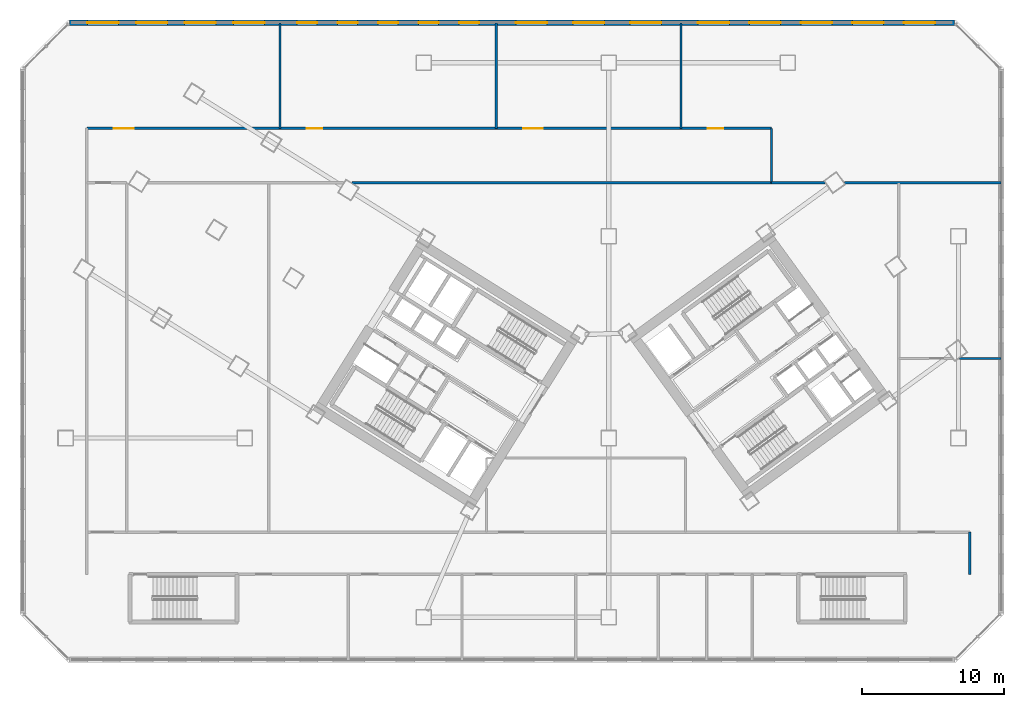
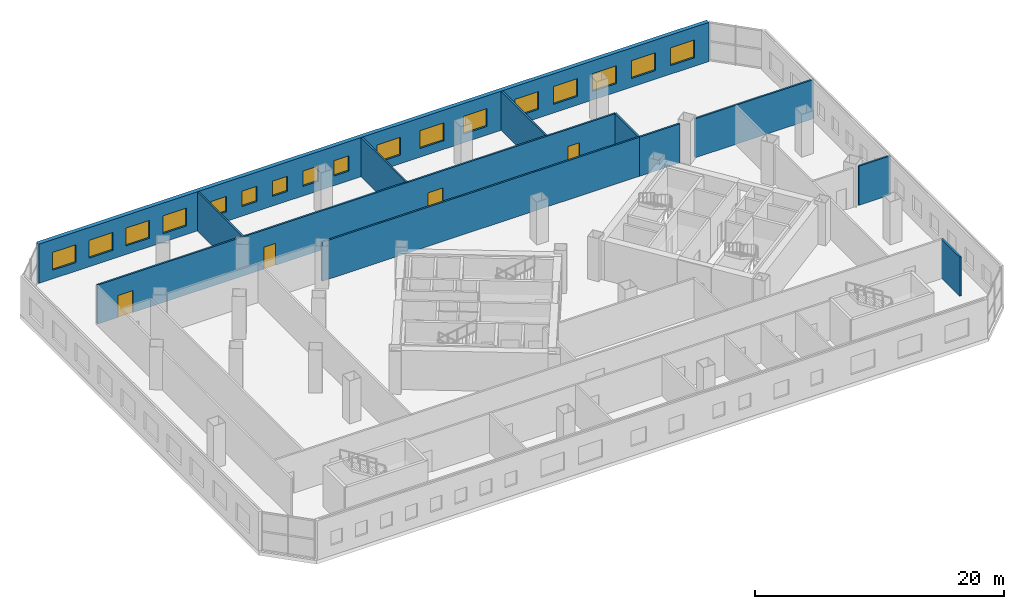
# One storey, part 14 of 22: 17 windows, 11 walls, 4 doors, 21 openings.
"""IFC4 building model written with IfcOpenShell, lengths in metres."""

from ifc_helpers import new_model, si_unit, direction, frame, frame_2d, origin, place, context, subcontext, project, spatial, rectangle, extrude, source, transform, mapped, material, layer, layer_set, type_object, element, fill, save


model = new_model("IFC4")

# Units and contexts
model_context = context("Model", 3, precision=1e-05, world=origin(), true_north=direction((0.0, 1.0)))
body_context = subcontext(model_context, "Body", "Model", "MODEL_VIEW")
ifc_project = project(units=[si_unit("LENGTHUNIT", "METRE"), si_unit("AREAUNIT", "SQUARE_METRE"), si_unit("VOLUMEUNIT", "CUBIC_METRE"), si_unit("PLANEANGLEUNIT", "RADIAN"), si_unit("MASSUNIT", "GRAM", prefix="KILO")], contexts=[model_context])

# Site, building, storey
site_placement = place(None, origin())
site = spatial("IfcSite", under=ifc_project, at=site_placement, CompositionType="ELEMENT")
building_placement = place(site_placement, origin())
building = spatial("IfcBuilding", under=site, at=building_placement, Name="Tlacorven Tower", CompositionType="ELEMENT")
storey_placement = place(building_placement, frame((0.0, 0.0, 14.39990234375)))
storey = spatial("IfcBuildingStorey", under=building, at=storey_placement, Name="L03", CompositionType="ELEMENT", Elevation=14.39990234375)

# Wall
ifc_material_1 = material(Name="Gypsum plasterboard acoustic partition", Category="gypsum")
ifc_layer_1 = layer(ifc_material_1, 0.159912109375)
ifc_layer_set_1 = layer_set([ifc_layer_1], Name="Gypsum plasterboard acoustic partition")
wall_type_1 = type_object("IfcWallType", Name="WL-DEM-160", PredefinedType="PARTITIONING", material=ifc_layer_set_1)
wall_1_placement = place(storey_placement, frame((24.749267578125, 35.14990234375, 0.0), z_axis=(0.0, 0.0, 1.0), x_axis=(1.0, 0.0, 0.0)))
element("IfcWall", 1, at=wall_1_placement, inside=storey, type_object=wall_type_1, Name="L03 partition 77", PredefinedType="PARTITIONING", context=body_context, shape_type="SweptSolid", body=[
    extrude(rectangle(XDim=29.500732421875, YDim=0.159912109375, at=frame_2d((14.75048828125, 0.0))), origin(), (0.0, 0.0, 1.0), 3.840087890625),
])

# Wall, openings, doors
wall_2_placement = place(storey_placement, frame((6.10009765625, 38.97998046875, 0.0), z_axis=(0.0, 0.0, 1.0), x_axis=(1.0, 0.0, 0.0)))
wall_2 = element("IfcWall", 2, at=wall_2_placement, inside=storey, type_object=wall_type_1, Name="L03 partition 78", PredefinedType="PARTITIONING", context=body_context, shape_type="SweptSolid", body=[
    extrude(rectangle(XDim=48.14990234375, YDim=0.159912109375, at=frame_2d((24.074951171875, 0.0))), origin(), (0.0, 0.0, 1.0), 3.840087890625),
])
opening_1_placement = place(wall_2_placement, frame((1.89990234375, 0.0, 0.0)))
opening_1 = element("IfcOpeningElement", 3, at=opening_1_placement, cuts=wall_2, Name="Opening D16", PredefinedType="OPENING", context=body_context, shape_type="SweptSolid", body=[
    extrude(rectangle(XDim=1.39990234375, YDim=2.14990234375, at=frame_2d((0.699951171875, 1.074951171875))), frame((0.0, 0.08984375, 0.0), z_axis=(0.0, -1.0, 0.0), x_axis=(1.0, 0.0, 0.0)), (0.0, 0.0, 1.0), 0.179931640625),
])
opening_2_placement = place(wall_2_placement, frame((15.47998046875, 0.0, 0.0)))
opening_2 = element("IfcOpeningElement", 4, at=opening_2_placement, cuts=wall_2, Name="Opening D15", PredefinedType="OPENING", context=body_context, shape_type="SweptSolid", body=[
    extrude(rectangle(XDim=1.080078125, YDim=2.14990234375, at=frame_2d((0.5400390625, 1.074951171875))), frame((0.0, 0.08984375, 0.0), z_axis=(0.0, -1.0, 0.0), x_axis=(1.0, 0.0, 0.0)), (0.0, 0.0, 1.0), 0.179931640625),
])
opening_3_placement = place(wall_2_placement, frame((30.679931640625, 0.0, 0.0)))
opening_3 = element("IfcOpeningElement", 5, at=opening_3_placement, cuts=wall_2, Name="Opening D16", PredefinedType="OPENING", context=body_context, shape_type="SweptSolid", body=[
    extrude(rectangle(XDim=1.39990234375, YDim=2.14990234375, at=frame_2d((0.699951171875, 1.074951171875))), frame((0.0, 0.08984375, 0.0), z_axis=(0.0, -1.0, 0.0), x_axis=(1.0, 0.0, 0.0)), (0.0, 0.0, 1.0), 0.179931640625),
])
opening_4_placement = place(wall_2_placement, frame((43.679931640625, 0.0, 0.0)))
opening_4 = element("IfcOpeningElement", 6, at=opening_4_placement, cuts=wall_2, Name="Opening D15", PredefinedType="OPENING", context=body_context, shape_type="SweptSolid", body=[
    extrude(rectangle(XDim=1.080078125, YDim=2.14990234375, at=frame_2d((0.5400390625, 1.074951171875))), frame((0.0, 0.08984375, 0.0), z_axis=(0.0, -1.0, 0.0), x_axis=(1.0, 0.0, 0.0)), (0.0, 0.0, 1.0), 0.179931640625),
])
ifc_material_2 = material(Name="Fire-rated steel door assembly", Category="steel")
door_type_1 = type_object("IfcDoorType", Name="DR-CLN-IMAG-1400", OperationType="DOUBLE_DOOR_SINGLE_SWING", PredefinedType="DOOR", material=ifc_material_2)
shared_shape_1 = source(origin(), body_context, "Body", "SweptSolid", [
    extrude(rectangle(XDim=1.39990234375, YDim=2.14990234375, at=frame_2d((0.699951171875, 1.074951171875))), frame((0.0, 0.02490234375, 0.0), z_axis=(0.0, -1.0, 0.0), x_axis=(1.0, 0.0, 0.0)), (0.0, 0.0, 1.0), 0.050048828125),
])
door_1_placement = place(opening_1_placement, origin())
door_1 = element("IfcDoor", 7, at=door_1_placement, inside=storey, type_object=door_type_1, Name="L03 door 035", OperationType="DOUBLE_DOOR_SINGLE_SWING", OverallHeight=2.14990234375, OverallWidth=1.39990234375, PredefinedType="DOOR", context=body_context, shape_type="MappedRepresentation", body=[
    mapped(shared_shape_1, transform((0.0, 0.0, 0.0), scale=1.0)),
])
fill(opening_1, door_1)
door_2_placement = place(opening_3_placement, origin())
door_2 = element("IfcDoor", 8, at=door_2_placement, inside=storey, type_object=door_type_1, Name="L03 door 037", OperationType="DOUBLE_DOOR_SINGLE_SWING", OverallHeight=2.14990234375, OverallWidth=1.39990234375, PredefinedType="DOOR", context=body_context, shape_type="MappedRepresentation", body=[
    mapped(shared_shape_1, transform((0.0, 0.0, 0.0), scale=1.0)),
])
fill(opening_3, door_2)
door_type_2 = type_object("IfcDoorType", Name="DR-CLN-CONS-1080", OperationType="NOTDEFINED", PredefinedType="DOOR", material=ifc_material_2)
shared_shape_2 = source(origin(), body_context, "Body", "SweptSolid", [
    extrude(rectangle(XDim=1.080078125, YDim=2.14990234375, at=frame_2d((0.5400390625, 1.074951171875))), frame((0.0, 0.02490234375, 0.0), z_axis=(0.0, -1.0, 0.0), x_axis=(1.0, 0.0, 0.0)), (0.0, 0.0, 1.0), 0.050048828125),
])
door_3_placement = place(opening_2_placement, origin())
door_3 = element("IfcDoor", 9, at=door_3_placement, inside=storey, type_object=door_type_2, Name="L03 door 036", OperationType="SINGLE_SWING_LEFT", OverallHeight=2.14990234375, OverallWidth=1.080078125, PredefinedType="DOOR", context=body_context, shape_type="MappedRepresentation", body=[
    mapped(shared_shape_2, transform((0.0, 0.0, 0.0), scale=1.0)),
])
fill(opening_2, door_3)
door_4_placement = place(opening_4_placement, origin())
door_4 = element("IfcDoor", 10, at=door_4_placement, inside=storey, type_object=door_type_2, Name="L03 door 038", OperationType="SINGLE_SWING_RIGHT", OverallHeight=2.14990234375, OverallWidth=1.080078125, PredefinedType="DOOR", context=body_context, shape_type="MappedRepresentation", body=[
    mapped(shared_shape_2, transform((0.0, 0.0, 0.0), scale=1.0)),
])
fill(opening_4, door_4)

# Walls
wall_3_placement = place(storey_placement, frame((54.25, 35.14990234375, 0.0), z_axis=(0.0, 0.0, 1.0), x_axis=(0.0, 1.0, 0.0)))
element("IfcWall", 11, at=wall_3_placement, inside=storey, type_object=wall_type_1, Name="L03 partition 79", PredefinedType="PARTITIONING", context=body_context, shape_type="SweptSolid", body=[
    extrude(rectangle(XDim=3.830078125, YDim=0.159912109375, at=frame_2d((1.9150390625, 0.0))), origin(), (0.0, 0.0, 1.0), 3.840087890625),
])
for number, where, z_axis, x_axis, name in (
    (12, (19.68994140625, 38.97998046875, 0.0), (0.0, 0.0, 1.0), (0.0, 1.0, 0.0), "L03 partition 81"),
    (13, (34.889892578125, 38.97998046875, 0.0), (0.0, 0.0, 1.0), (0.0, 1.0, 0.0), "L03 partition 82"),
    (14, (47.889892578125, 38.97998046875, 0.0), (0.0, 0.0, 1.0), (0.0, 1.0, 0.0), "L03 partition 83"),
):
    element("IfcWall", number, at=place(storey_placement, frame(where, z_axis=z_axis, x_axis=x_axis)), inside=storey, type_object=wall_type_1, Name=name, PredefinedType="PARTITIONING", context=body_context, shape_type="SweptSolid", body=[
        extrude(rectangle(XDim=7.419921875, YDim=0.159912109375, at=frame_2d((3.7099609375, 0.0))), origin(), (0.0, 0.0, 1.0), 3.840087890625),
    ])
wall_4_placement = place(storey_placement, frame((54.25, 35.14990234375, 0.0), z_axis=(0.0, 0.0, 1.0), x_axis=(1.0, 0.0, 0.0)))
element("IfcWall", 15, at=wall_4_placement, inside=storey, type_object=wall_type_1, Name="L03 partition 86", PredefinedType="PARTITIONING", context=body_context, shape_type="SweptSolid", body=[
    extrude(rectangle(XDim=3.75244140625, YDim=0.159912109375, at=frame_2d((1.876220703125, 0.0))), origin(), (0.0, 0.0, 1.0), 3.840087890625),
])
wall_5_placement = place(storey_placement, frame((59.391845703125, 35.14990234375, 0.0), z_axis=(0.0, 0.0, 1.0), x_axis=(1.0, 0.0, 0.0)))
element("IfcWall", 16, at=wall_5_placement, inside=storey, type_object=wall_type_1, Name="L03 partition 86", PredefinedType="PARTITIONING", context=body_context, shape_type="SweptSolid", body=[
    extrude(rectangle(XDim=11.008056640625, YDim=0.159912109375, at=frame_2d((5.50390625, 0.0))), origin(), (0.0, 0.0, 1.0), 3.840087890625),
])
wall_6_placement = place(storey_placement, frame((68.199951171875, 7.6201171875, 0.0), z_axis=(0.0, 0.0, 1.0), x_axis=(0.0, 1.0, 0.0)))
element("IfcWall", 17, at=wall_6_placement, inside=storey, type_object=wall_type_1, Name="L03 partition 87", PredefinedType="PARTITIONING", context=body_context, shape_type="SweptSolid", body=[
    extrude(rectangle(XDim=2.9599609375, YDim=0.159912109375, at=frame_2d((1.47998046875, 0.0))), origin(), (0.0, 0.0, 1.0), 3.840087890625),
])
wall_7_placement = place(storey_placement, frame((67.4619140625, 22.800048828125, 0.0), z_axis=(0.0, 0.0, 1.0), x_axis=(1.0, 0.0, 0.0)))
element("IfcWall", 18, at=wall_7_placement, inside=storey, type_object=wall_type_1, Name="L03 partition 88", PredefinedType="PARTITIONING", context=body_context, shape_type="SweptSolid", body=[
    extrude(rectangle(XDim=2.93798828125, YDim=0.159912109375, at=frame_2d((1.468994140625, 0.0))), origin(), (0.0, 0.0, 1.0), 3.840087890625),
])

# Wall, openings, windows
ifc_material_3 = material(Name="Precast concrete C45/55", Category="concrete")
ifc_layer_2 = layer(ifc_material_3, 0.3798828125)
ifc_layer_set_2 = layer_set([ifc_layer_2], Name="Precast concrete C45/55")
wall_type_2 = type_object("IfcWallType", Name="WL-EXT-380", PredefinedType="STANDARD", material=ifc_layer_set_2)
wall_8_placement = place(storey_placement, frame((4.8828125, 46.39990234375, 0.0), z_axis=(0.0, 0.0, 1.0), x_axis=(1.0, 0.0, 0.0)))
wall_8 = element("IfcWall", 19, at=wall_8_placement, inside=storey, type_object=wall_type_2, Name="L03 Podium Masonry-Frame Facade Wall 4", PredefinedType="STANDARD", context=body_context, shape_type="SweptSolid", body=[
    extrude(rectangle(XDim=62.234375, YDim=0.3798828125, at=frame_2d((31.1171875, 0.0))), origin(), (0.0, 0.0, 1.0), 3.85009765625),
])
opening_5_placement = place(wall_8_placement, frame((1.259521484375, 0.0, 0.85009765625)))
opening_5 = element("IfcOpeningElement", 20, at=opening_5_placement, cuts=wall_8, Name="Opening WN14", PredefinedType="OPENING", context=body_context, shape_type="SweptSolid", body=[
    extrude(rectangle(XDim=2.199951171875, YDim=1.75, at=frame_2d((1.10009765625, 0.875))), frame((0.0, 0.199951171875, 0.0), z_axis=(0.0, -1.0, 0.0), x_axis=(1.0, 0.0, 0.0)), (0.0, 0.0, 1.0), 0.39990234375),
])
opening_6_placement = place(wall_8_placement, frame((4.678955078125, 0.0, 0.85009765625)))
opening_6 = element("IfcOpeningElement", 21, at=opening_6_placement, cuts=wall_8, Name="Opening WN14", PredefinedType="OPENING", context=body_context, shape_type="SweptSolid", body=[
    extrude(rectangle(XDim=2.199951171875, YDim=1.75, at=frame_2d((1.10009765625, 0.875))), frame((0.0, 0.199951171875, 0.0), z_axis=(0.0, -1.0, 0.0), x_axis=(1.0, 0.0, 0.0)), (0.0, 0.0, 1.0), 0.39990234375),
])
opening_7_placement = place(wall_8_placement, frame((8.09814453125, 0.0, 0.85009765625)))
opening_7 = element("IfcOpeningElement", 22, at=opening_7_placement, cuts=wall_8, Name="Opening WN14", PredefinedType="OPENING", context=body_context, shape_type="SweptSolid", body=[
    extrude(rectangle(XDim=2.199951171875, YDim=1.75, at=frame_2d((1.10009765625, 0.875))), frame((0.0, 0.199951171875, 0.0), z_axis=(0.0, -1.0, 0.0), x_axis=(1.0, 0.0, 0.0)), (0.0, 0.0, 1.0), 0.39990234375),
])
opening_8_placement = place(wall_8_placement, frame((11.517578125, 0.0, 0.85009765625)))
opening_8 = element("IfcOpeningElement", 23, at=opening_8_placement, cuts=wall_8, Name="Opening WN14", PredefinedType="OPENING", context=body_context, shape_type="SweptSolid", body=[
    extrude(rectangle(XDim=2.199951171875, YDim=1.75, at=frame_2d((1.10009765625, 0.875))), frame((0.0, 0.199951171875, 0.0), z_axis=(0.0, -1.0, 0.0), x_axis=(1.0, 0.0, 0.0)), (0.0, 0.0, 1.0), 0.39990234375),
])
opening_9_placement = place(wall_8_placement, frame((16.01123046875, 0.0, 0.949951171875)))
opening_9 = element("IfcOpeningElement", 24, at=opening_9_placement, cuts=wall_8, Name="Opening WN15", PredefinedType="OPENING", context=body_context, shape_type="SweptSolid", body=[
    extrude(rectangle(XDim=1.39990234375, YDim=1.5, at=frame_2d((0.699951171875, 0.75))), frame((0.0, 0.199951171875, 0.0), z_axis=(0.0, -1.0, 0.0), x_axis=(1.0, 0.0, 0.0)), (0.0, 0.0, 1.0), 0.39990234375),
])
opening_10_placement = place(wall_8_placement, frame((18.859130859375, 0.0, 0.949951171875)))
opening_10 = element("IfcOpeningElement", 25, at=opening_10_placement, cuts=wall_8, Name="Opening WN15", PredefinedType="OPENING", context=body_context, shape_type="SweptSolid", body=[
    extrude(rectangle(XDim=1.39990234375, YDim=1.5, at=frame_2d((0.699951171875, 0.75))), frame((0.0, 0.199951171875, 0.0), z_axis=(0.0, -1.0, 0.0), x_axis=(1.0, 0.0, 0.0)), (0.0, 0.0, 1.0), 0.39990234375),
])
opening_11_placement = place(wall_8_placement, frame((21.707275390625, 0.0, 0.949951171875)))
opening_11 = element("IfcOpeningElement", 26, at=opening_11_placement, cuts=wall_8, Name="Opening WN15", PredefinedType="OPENING", context=body_context, shape_type="SweptSolid", body=[
    extrude(rectangle(XDim=1.39990234375, YDim=1.5, at=frame_2d((0.699951171875, 0.75))), frame((0.0, 0.199951171875, 0.0), z_axis=(0.0, -1.0, 0.0), x_axis=(1.0, 0.0, 0.0)), (0.0, 0.0, 1.0), 0.39990234375),
])
opening_12_placement = place(wall_8_placement, frame((24.55517578125, 0.0, 0.949951171875)))
opening_12 = element("IfcOpeningElement", 27, at=opening_12_placement, cuts=wall_8, Name="Opening WN15", PredefinedType="OPENING", context=body_context, shape_type="SweptSolid", body=[
    extrude(rectangle(XDim=1.39990234375, YDim=1.5, at=frame_2d((0.699951171875, 0.75))), frame((0.0, 0.199951171875, 0.0), z_axis=(0.0, -1.0, 0.0), x_axis=(1.0, 0.0, 0.0)), (0.0, 0.0, 1.0), 0.39990234375),
])
opening_13_placement = place(wall_8_placement, frame((27.4033203125, 0.0, 0.949951171875)))
opening_13 = element("IfcOpeningElement", 28, at=opening_13_placement, cuts=wall_8, Name="Opening WN15", PredefinedType="OPENING", context=body_context, shape_type="SweptSolid", body=[
    extrude(rectangle(XDim=1.39990234375, YDim=1.5, at=frame_2d((0.699951171875, 0.75))), frame((0.0, 0.199951171875, 0.0), z_axis=(0.0, -1.0, 0.0), x_axis=(1.0, 0.0, 0.0)), (0.0, 0.0, 1.0), 0.39990234375),
])
opening_14_placement = place(wall_8_placement, frame((31.393798828125, 0.0, 0.85009765625)))
opening_14 = element("IfcOpeningElement", 29, at=opening_14_placement, cuts=wall_8, Name="Opening WN14", PredefinedType="OPENING", context=body_context, shape_type="SweptSolid", body=[
    extrude(rectangle(XDim=2.199951171875, YDim=1.75, at=frame_2d((1.10009765625, 0.875))), frame((0.0, 0.199951171875, 0.0), z_axis=(0.0, -1.0, 0.0), x_axis=(1.0, 0.0, 0.0)), (0.0, 0.0, 1.0), 0.39990234375),
])
opening_15_placement = place(wall_8_placement, frame((35.4072265625, 0.0, 0.85009765625)))
opening_15 = element("IfcOpeningElement", 30, at=opening_15_placement, cuts=wall_8, Name="Opening WN14", PredefinedType="OPENING", context=body_context, shape_type="SweptSolid", body=[
    extrude(rectangle(XDim=2.199951171875, YDim=1.75, at=frame_2d((1.10009765625, 0.875))), frame((0.0, 0.199951171875, 0.0), z_axis=(0.0, -1.0, 0.0), x_axis=(1.0, 0.0, 0.0)), (0.0, 0.0, 1.0), 0.39990234375),
])
opening_16_placement = place(wall_8_placement, frame((39.42041015625, 0.0, 0.85009765625)))
opening_16 = element("IfcOpeningElement", 31, at=opening_16_placement, cuts=wall_8, Name="Opening WN14", PredefinedType="OPENING", context=body_context, shape_type="SweptSolid", body=[
    extrude(rectangle(XDim=2.199951171875, YDim=1.75, at=frame_2d((1.10009765625, 0.875))), frame((0.0, 0.199951171875, 0.0), z_axis=(0.0, -1.0, 0.0), x_axis=(1.0, 0.0, 0.0)), (0.0, 0.0, 1.0), 0.39990234375),
])
opening_17_placement = place(wall_8_placement, frame((44.197021484375, 0.0, 0.85009765625)))
opening_17 = element("IfcOpeningElement", 32, at=opening_17_placement, cuts=wall_8, Name="Opening WN14", PredefinedType="OPENING", context=body_context, shape_type="SweptSolid", body=[
    extrude(rectangle(XDim=2.199951171875, YDim=1.75, at=frame_2d((1.10009765625, 0.875))), frame((0.0, 0.199951171875, 0.0), z_axis=(0.0, -1.0, 0.0), x_axis=(1.0, 0.0, 0.0)), (0.0, 0.0, 1.0), 0.39990234375),
])
opening_18_placement = place(wall_8_placement, frame((47.81640625, 0.0, 0.85009765625)))
opening_18 = element("IfcOpeningElement", 33, at=opening_18_placement, cuts=wall_8, Name="Opening WN14", PredefinedType="OPENING", context=body_context, shape_type="SweptSolid", body=[
    extrude(rectangle(XDim=2.199951171875, YDim=1.75, at=frame_2d((1.10009765625, 0.875))), frame((0.0, 0.199951171875, 0.0), z_axis=(0.0, -1.0, 0.0), x_axis=(1.0, 0.0, 0.0)), (0.0, 0.0, 1.0), 0.39990234375),
])
opening_19_placement = place(wall_8_placement, frame((51.435791015625, 0.0, 0.85009765625)))
opening_19 = element("IfcOpeningElement", 34, at=opening_19_placement, cuts=wall_8, Name="Opening WN14", PredefinedType="OPENING", context=body_context, shape_type="SweptSolid", body=[
    extrude(rectangle(XDim=2.199951171875, YDim=1.75, at=frame_2d((1.10009765625, 0.875))), frame((0.0, 0.199951171875, 0.0), z_axis=(0.0, -1.0, 0.0), x_axis=(1.0, 0.0, 0.0)), (0.0, 0.0, 1.0), 0.39990234375),
])
opening_20_placement = place(wall_8_placement, frame((55.05517578125, 0.0, 0.85009765625)))
opening_20 = element("IfcOpeningElement", 35, at=opening_20_placement, cuts=wall_8, Name="Opening WN14", PredefinedType="OPENING", context=body_context, shape_type="SweptSolid", body=[
    extrude(rectangle(XDim=2.199951171875, YDim=1.75, at=frame_2d((1.10009765625, 0.875))), frame((0.0, 0.199951171875, 0.0), z_axis=(0.0, -1.0, 0.0), x_axis=(1.0, 0.0, 0.0)), (0.0, 0.0, 1.0), 0.39990234375),
])
opening_21_placement = place(wall_8_placement, frame((58.674560546875, 0.0, 0.85009765625)))
opening_21 = element("IfcOpeningElement", 36, at=opening_21_placement, cuts=wall_8, Name="Opening WN14", PredefinedType="OPENING", context=body_context, shape_type="SweptSolid", body=[
    extrude(rectangle(XDim=2.199951171875, YDim=1.75, at=frame_2d((1.10009765625, 0.875))), frame((0.0, 0.199951171875, 0.0), z_axis=(0.0, -1.0, 0.0), x_axis=(1.0, 0.0, 0.0)), (0.0, 0.0, 1.0), 0.39990234375),
])
ifc_material_4 = material(Name="Dark solar low-E double glazing in anodised aluminium frame", Category="aluminium")
window_type_1 = type_object("IfcWindowType", Name="WN-CLN-2200X1850", PartitioningType="SINGLE_PANEL", PredefinedType="WINDOW", material=ifc_material_4)
shared_shape_3 = source(origin(), body_context, "Body", "SweptSolid", [
    extrude(rectangle(XDim=2.199951171875, YDim=1.75, at=frame_2d((1.10009765625, 0.875))), frame((0.0, 0.030029296875, 0.0), z_axis=(0.0, -1.0, 0.0), x_axis=(1.0, 0.0, 0.0)), (0.0, 0.0, 1.0), 0.06005859375),
])
window_1_placement = place(opening_5_placement, origin())
window_1 = element("IfcWindow", 37, at=window_1_placement, inside=storey, type_object=window_type_1, Name="L03 Podium Recessed Facade Window 4.1", OverallHeight=1.75, OverallWidth=2.199951171875, PartitioningType="SINGLE_PANEL", PredefinedType="WINDOW", context=body_context, shape_type="MappedRepresentation", body=[
    mapped(shared_shape_3, transform((0.0, 0.0, 0.0), scale=1.0)),
])
fill(opening_5, window_1)
window_2_placement = place(opening_6_placement, origin())
window_2 = element("IfcWindow", 38, at=window_2_placement, inside=storey, type_object=window_type_1, Name="L03 Podium Recessed Facade Window 4.2", OverallHeight=1.75, OverallWidth=2.199951171875, PartitioningType="SINGLE_PANEL", PredefinedType="WINDOW", context=body_context, shape_type="MappedRepresentation", body=[
    mapped(shared_shape_3, transform((0.0, 0.0, 0.0), scale=1.0)),
])
fill(opening_6, window_2)
window_3_placement = place(opening_7_placement, origin())
window_3 = element("IfcWindow", 39, at=window_3_placement, inside=storey, type_object=window_type_1, Name="L03 Podium Recessed Facade Window 4.3", OverallHeight=1.75, OverallWidth=2.199951171875, PartitioningType="SINGLE_PANEL", PredefinedType="WINDOW", context=body_context, shape_type="MappedRepresentation", body=[
    mapped(shared_shape_3, transform((0.0, 0.0, 0.0), scale=1.0)),
])
fill(opening_7, window_3)
window_4_placement = place(opening_8_placement, origin())
window_4 = element("IfcWindow", 40, at=window_4_placement, inside=storey, type_object=window_type_1, Name="L03 Podium Recessed Facade Window 4.4", OverallHeight=1.75, OverallWidth=2.199951171875, PartitioningType="SINGLE_PANEL", PredefinedType="WINDOW", context=body_context, shape_type="MappedRepresentation", body=[
    mapped(shared_shape_3, transform((0.0, 0.0, 0.0), scale=1.0)),
])
fill(opening_8, window_4)
window_5_placement = place(opening_14_placement, origin())
window_5 = element("IfcWindow", 41, at=window_5_placement, inside=storey, type_object=window_type_1, Name="L03 Podium Recessed Facade Window 4.10", OverallHeight=1.75, OverallWidth=2.199951171875, PartitioningType="SINGLE_PANEL", PredefinedType="WINDOW", context=body_context, shape_type="MappedRepresentation", body=[
    mapped(shared_shape_3, transform((0.0, 0.0, 0.0), scale=1.0)),
])
fill(opening_14, window_5)
window_6_placement = place(opening_15_placement, origin())
window_6 = element("IfcWindow", 42, at=window_6_placement, inside=storey, type_object=window_type_1, Name="L03 Podium Recessed Facade Window 4.11", OverallHeight=1.75, OverallWidth=2.199951171875, PartitioningType="SINGLE_PANEL", PredefinedType="WINDOW", context=body_context, shape_type="MappedRepresentation", body=[
    mapped(shared_shape_3, transform((0.0, 0.0, 0.0), scale=1.0)),
])
fill(opening_15, window_6)
window_7_placement = place(opening_16_placement, origin())
window_7 = element("IfcWindow", 43, at=window_7_placement, inside=storey, type_object=window_type_1, Name="L03 Podium Recessed Facade Window 4.12", OverallHeight=1.75, OverallWidth=2.199951171875, PartitioningType="SINGLE_PANEL", PredefinedType="WINDOW", context=body_context, shape_type="MappedRepresentation", body=[
    mapped(shared_shape_3, transform((0.0, 0.0, 0.0), scale=1.0)),
])
fill(opening_16, window_7)
window_8_placement = place(opening_17_placement, origin())
window_8 = element("IfcWindow", 44, at=window_8_placement, inside=storey, type_object=window_type_1, Name="L03 Podium Recessed Facade Window 4.13", OverallHeight=1.75, OverallWidth=2.199951171875, PartitioningType="SINGLE_PANEL", PredefinedType="WINDOW", context=body_context, shape_type="MappedRepresentation", body=[
    mapped(shared_shape_3, transform((0.0, 0.0, 0.0), scale=1.0)),
])
fill(opening_17, window_8)
window_9_placement = place(opening_18_placement, origin())
window_9 = element("IfcWindow", 45, at=window_9_placement, inside=storey, type_object=window_type_1, Name="L03 Podium Recessed Facade Window 4.14", OverallHeight=1.75, OverallWidth=2.199951171875, PartitioningType="SINGLE_PANEL", PredefinedType="WINDOW", context=body_context, shape_type="MappedRepresentation", body=[
    mapped(shared_shape_3, transform((0.0, 0.0, 0.0), scale=1.0)),
])
fill(opening_18, window_9)
window_10_placement = place(opening_19_placement, origin())
window_10 = element("IfcWindow", 46, at=window_10_placement, inside=storey, type_object=window_type_1, Name="L03 Podium Recessed Facade Window 4.15", OverallHeight=1.75, OverallWidth=2.199951171875, PartitioningType="SINGLE_PANEL", PredefinedType="WINDOW", context=body_context, shape_type="MappedRepresentation", body=[
    mapped(shared_shape_3, transform((0.0, 0.0, 0.0), scale=1.0)),
])
fill(opening_19, window_10)
window_11_placement = place(opening_20_placement, origin())
window_11 = element("IfcWindow", 47, at=window_11_placement, inside=storey, type_object=window_type_1, Name="L03 Podium Recessed Facade Window 4.16", OverallHeight=1.75, OverallWidth=2.199951171875, PartitioningType="SINGLE_PANEL", PredefinedType="WINDOW", context=body_context, shape_type="MappedRepresentation", body=[
    mapped(shared_shape_3, transform((0.0, 0.0, 0.0), scale=1.0)),
])
fill(opening_20, window_11)
window_12_placement = place(opening_21_placement, origin())
window_12 = element("IfcWindow", 48, at=window_12_placement, inside=storey, type_object=window_type_1, Name="L03 Podium Recessed Facade Window 4.17", OverallHeight=1.75, OverallWidth=2.199951171875, PartitioningType="SINGLE_PANEL", PredefinedType="WINDOW", context=body_context, shape_type="MappedRepresentation", body=[
    mapped(shared_shape_3, transform((0.0, 0.0, 0.0), scale=1.0)),
])
fill(opening_21, window_12)
window_type_2 = type_object("IfcWindowType", Name="WN-CLN-1400X1600", PartitioningType="SINGLE_PANEL", PredefinedType="WINDOW", material=ifc_material_4)
shared_shape_4 = source(origin(), body_context, "Body", "SweptSolid", [
    extrude(rectangle(XDim=1.39990234375, YDim=1.5, at=frame_2d((0.699951171875, 0.75))), frame((0.0, 0.030029296875, 0.0), z_axis=(0.0, -1.0, 0.0), x_axis=(1.0, 0.0, 0.0)), (0.0, 0.0, 1.0), 0.06005859375),
])
window_13_placement = place(opening_9_placement, origin())
window_13 = element("IfcWindow", 49, at=window_13_placement, inside=storey, type_object=window_type_2, Name="L03 Podium Recessed Facade Window 4.5", OverallHeight=1.5, OverallWidth=1.39990234375, PartitioningType="SINGLE_PANEL", PredefinedType="WINDOW", context=body_context, shape_type="MappedRepresentation", body=[
    mapped(shared_shape_4, transform((0.0, 0.0, 0.0), scale=1.0)),
])
fill(opening_9, window_13)
window_14_placement = place(opening_10_placement, origin())
window_14 = element("IfcWindow", 50, at=window_14_placement, inside=storey, type_object=window_type_2, Name="L03 Podium Recessed Facade Window 4.6", OverallHeight=1.5, OverallWidth=1.39990234375, PartitioningType="SINGLE_PANEL", PredefinedType="WINDOW", context=body_context, shape_type="MappedRepresentation", body=[
    mapped(shared_shape_4, transform((0.0, 0.0, 0.0), scale=1.0)),
])
fill(opening_10, window_14)
window_15_placement = place(opening_11_placement, origin())
window_15 = element("IfcWindow", 51, at=window_15_placement, inside=storey, type_object=window_type_2, Name="L03 Podium Recessed Facade Window 4.7", OverallHeight=1.5, OverallWidth=1.39990234375, PartitioningType="SINGLE_PANEL", PredefinedType="WINDOW", context=body_context, shape_type="MappedRepresentation", body=[
    mapped(shared_shape_4, transform((0.0, 0.0, 0.0), scale=1.0)),
])
fill(opening_11, window_15)
window_16_placement = place(opening_12_placement, origin())
window_16 = element("IfcWindow", 52, at=window_16_placement, inside=storey, type_object=window_type_2, Name="L03 Podium Recessed Facade Window 4.8", OverallHeight=1.5, OverallWidth=1.39990234375, PartitioningType="SINGLE_PANEL", PredefinedType="WINDOW", context=body_context, shape_type="MappedRepresentation", body=[
    mapped(shared_shape_4, transform((0.0, 0.0, 0.0), scale=1.0)),
])
fill(opening_12, window_16)
window_17_placement = place(opening_13_placement, origin())
window_17 = element("IfcWindow", 53, at=window_17_placement, inside=storey, type_object=window_type_2, Name="L03 Podium Recessed Facade Window 4.9", OverallHeight=1.5, OverallWidth=1.39990234375, PartitioningType="SINGLE_PANEL", PredefinedType="WINDOW", context=body_context, shape_type="MappedRepresentation", body=[
    mapped(shared_shape_4, transform((0.0, 0.0, 0.0), scale=1.0)),
])
fill(opening_13, window_17)

save(model, "model.ifc")
